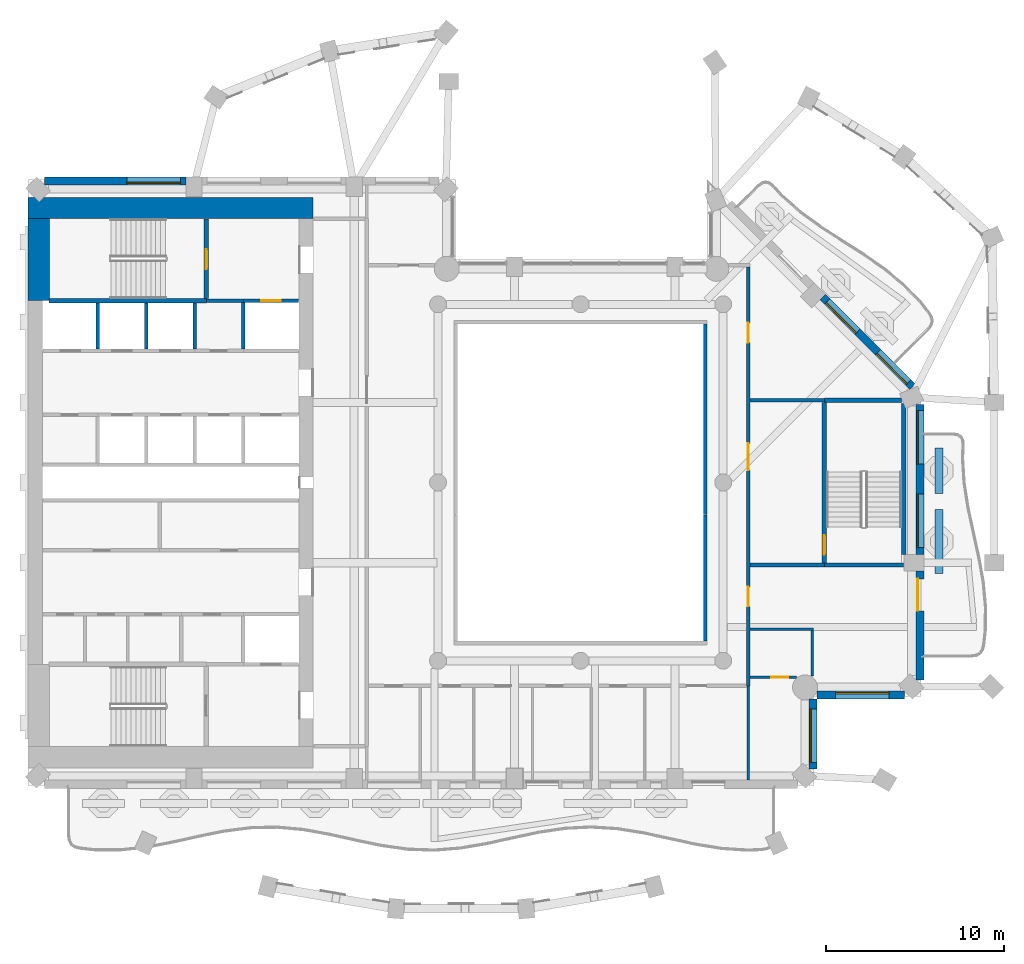
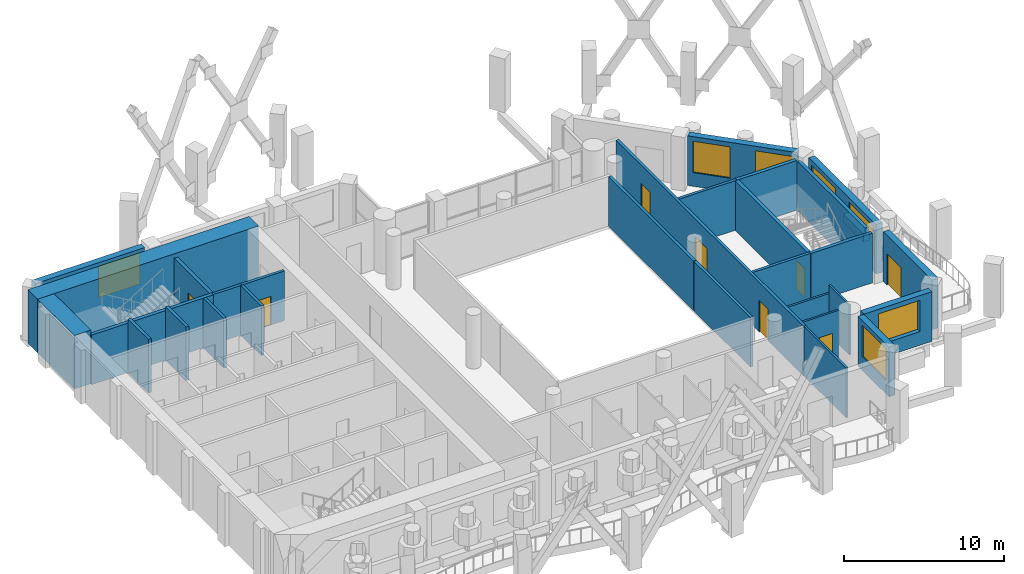
# One storey, part 6 of 16: 31 walls, 8 doors, 7 windows, 15 openings.
"""IFC4 building model written with IfcOpenShell, lengths in metres."""

from ifc_helpers import new_model, si_unit, direction, frame, frame_2d, origin, place, context, subcontext, project, spatial, rectangle, extrude, material, layer, layer_set, type_object, element, fill, save


model = new_model("IFC4")

# Units and contexts
model_context = context("Model", 3, precision=1e-05, world=origin(), true_north=direction((0.0, 1.0)))
body_context = subcontext(model_context, "Body", "Model", "MODEL_VIEW")
ifc_project = project(units=[si_unit("LENGTHUNIT", "METRE"), si_unit("AREAUNIT", "SQUARE_METRE"), si_unit("VOLUMEUNIT", "CUBIC_METRE"), si_unit("PLANEANGLEUNIT", "RADIAN"), si_unit("MASSUNIT", "GRAM", prefix="KILO")], contexts=[model_context])

# Site, building, storey
site_placement = place(None, origin())
site = spatial("IfcSite", under=ifc_project, at=site_placement, CompositionType="ELEMENT")
building_placement = place(site_placement, origin())
building = spatial("IfcBuilding", under=site, at=building_placement, Name="Cypress Arch Tower", CompositionType="ELEMENT")
storey_placement = place(building_placement, frame((0.0, 0.0, 168.699951171875)))
storey = spatial("IfcBuildingStorey", under=building, at=storey_placement, Name="L36", CompositionType="ELEMENT", Elevation=168.699951171875)

# Walls
ifc_material_1 = material(Name="Concrete C40/50, waterproofed", Category="concrete")
ifc_layer_1 = layer(ifc_material_1, 0.449951171875)
ifc_layer_set_1 = layer_set([ifc_layer_1], Name="Balcony planter wall PW450")
wall_type_1 = type_object("IfcWallType", Name="Balcony planter wall PW450", PredefinedType="SOLIDWALL", material=ifc_layer_set_1)
wall_1_placement = place(storey_placement, frame((21.10009765625, -5.10009765625, 0.0), z_axis=(0.0, 0.0, 1.0), x_axis=(0.0, 1.0, 0.0)))
element("IfcWall", 1, at=wall_1_placement, inside=storey, type_object=wall_type_1, Name="Balcony planter wall L36-B04.1", PredefinedType="SOLIDWALL", context=body_context, shape_type="SweptSolid", body=[
    extrude(rectangle(XDim=3.58349609375, YDim=0.449951171875, at=frame_2d((1.791748046875, 0.0))), origin(), (0.0, 0.0, 1.0), 0.60009765625),
])
wall_2_placement = place(storey_placement, frame((21.10009765625, -0.61669921875, 0.0), z_axis=(0.0, 0.0, 1.0), x_axis=(0.0, 1.0, 0.0)))
element("IfcWall", 2, at=wall_2_placement, inside=storey, type_object=wall_type_1, Name="Balcony planter wall L36-B04.2", PredefinedType="SOLIDWALL", context=body_context, shape_type="SweptSolid", body=[
    extrude(rectangle(XDim=2.566650390625, YDim=0.449951171875, at=frame_2d((1.283203125, 0.0))), origin(), (0.0, 0.0, 1.0), 0.60009765625),
])

# Wall, opening, window
ifc_material_2 = material(Name="Brick (red buff blend)", Category="masonry")
ifc_layer_2 = layer(ifc_material_2, 0.449951171875)
ifc_layer_set_2 = layer_set([ifc_layer_2], Name="Brick pier and spandrel wall BW450")
wall_type_2 = type_object("IfcWallType", Name="Brick pier and spandrel wall BW450", PredefinedType="SOLIDWALL", material=ifc_layer_set_2)
wall_3_placement = place(storey_placement, frame((14.02490234375, -16.063720703125, 0.0), z_axis=(0.0, 0.0, 1.0), x_axis=(0.0, 1.0, 0.0)))
wall_3 = element("IfcWall", 3, at=wall_3_placement, inside=storey, type_object=wall_type_2, Name="Brick wall L36 B02.0", PredefinedType="SOLIDWALL", context=body_context, shape_type="SweptSolid", body=[
    extrude(rectangle(XDim=3.9091796875, YDim=0.449951171875, at=frame_2d((1.95458984375, 0.0))), origin(), (0.0, 0.0, 1.0), 3.800048828125),
])
opening_1_placement = place(wall_3_placement, frame((0.363525390625, 0.0, 1.050048828125)))
opening_1 = element("IfcOpeningElement", 4, at=opening_1_placement, cuts=wall_3, Name="Opening W300O", PredefinedType="OPENING", context=body_context, shape_type="SweptSolid", body=[
    extrude(rectangle(XDim=3.0, YDim=2.39990234375, at=frame_2d((1.5, 1.199951171875))), frame((0.0, 0.23486328125, 0.0), z_axis=(0.0, -1.0, 0.0), x_axis=(1.0, 0.0, 0.0)), (0.0, 0.0, 1.0), 0.469970703125),
])
ifc_material_3 = material(Name="Anodised aluminium, bronze finish, clear low-emissivity double glazing", Category="aluminium")
window_type_1 = type_object("IfcWindowType", Name="Window Office 3000x2400", PartitioningType="SINGLE_PANEL", PredefinedType="WINDOW", material=ifc_material_3)
window_1_placement = place(opening_1_placement, origin())
window_1 = element("IfcWindow", 5, at=window_1_placement, inside=storey, type_object=window_type_1, Name="Window L36 B02.0.1", OverallHeight=2.39990234375, OverallWidth=3.0, PartitioningType="SINGLE_PANEL", PredefinedType="WINDOW", context=body_context, shape_type="SweptSolid", body=[
    extrude(rectangle(XDim=3.0, YDim=2.39990234375, at=frame_2d((1.5, 1.199951171875))), frame((0.0, 0.135009765625, 0.0), z_axis=(0.0, -1.0, 0.0), x_axis=(1.0, 0.0, 0.0)), (0.0, 0.0, 1.0), 0.06005859375),
])
fill(opening_1, window_1)

wall_4_placement = place(storey_placement, frame((14.254638671875, -11.925048828125, 0.0), z_axis=(0.0, 0.0, 1.0), x_axis=(1.0, 0.0, 0.0)))
wall_4 = element("IfcWall", 6, at=wall_4_placement, inside=storey, type_object=wall_type_2, Name="Brick wall L36 B03.0", PredefinedType="SOLIDWALL", context=body_context, shape_type="SweptSolid", body=[
    extrude(rectangle(XDim=4.908935546875, YDim=0.449951171875, at=frame_2d((2.45458984375, 0.0))), origin(), (0.0, 0.0, 1.0), 3.800048828125),
])
opening_2_placement = place(wall_4_placement, frame((1.04541015625, 0.0, 1.050048828125)))
opening_2 = element("IfcOpeningElement", 7, at=opening_2_placement, cuts=wall_4, Name="Opening W300O", PredefinedType="OPENING", context=body_context, shape_type="SweptSolid", body=[
    extrude(rectangle(XDim=3.0, YDim=2.39990234375, at=frame_2d((1.5, 1.199951171875))), frame((0.0, 0.23486328125, 0.0), z_axis=(0.0, -1.0, 0.0), x_axis=(1.0, 0.0, 0.0)), (0.0, 0.0, 1.0), 0.469970703125),
])
window_2_placement = place(opening_2_placement, origin())
window_2 = element("IfcWindow", 8, at=window_2_placement, inside=storey, type_object=window_type_1, Name="Window L36 B03.0.1", OverallHeight=2.39990234375, OverallWidth=3.0, PartitioningType="SINGLE_PANEL", PredefinedType="WINDOW", context=body_context, shape_type="SweptSolid", body=[
    extrude(rectangle(XDim=3.0, YDim=2.39990234375, at=frame_2d((1.5, 1.199951171875))), frame((0.0, 0.135009765625, 0.0), z_axis=(0.0, -1.0, 0.0), x_axis=(1.0, 0.0, 0.0)), (0.0, 0.0, 1.0), 0.06005859375),
])
fill(opening_2, window_2)

# Wall, opening, door
wall_5_placement = place(storey_placement, frame((20.02490234375, -11.063720703125, 0.0), z_axis=(0.0, 0.0, 1.0), x_axis=(0.0, 1.0, 0.0)))
wall_5 = element("IfcWall", 9, at=wall_5_placement, inside=storey, type_object=wall_type_2, Name="Brick wall L36 B04.0", PredefinedType="SOLIDWALL", context=body_context, shape_type="SweptSolid", body=[
    extrude(rectangle(XDim=6.11376953125, YDim=0.449951171875, at=frame_2d((3.056884765625, 0.0))), origin(), (0.0, 0.0, 1.0), 3.800048828125),
])
opening_3_placement = place(wall_5_placement, frame((3.863525390625, 0.0, 0.0)))
opening_3 = element("IfcOpeningElement", 10, at=opening_3_placement, cuts=wall_5, Name="Opening D-L36-B04.0.2", PredefinedType="OPENING", context=body_context, shape_type="SweptSolid", body=[
    extrude(rectangle(XDim=1.800048828125, YDim=2.39990234375, at=frame_2d((0.89990234375, 1.199951171875))), frame((0.0, 0.23486328125, 0.0), z_axis=(0.0, -1.0, 0.0), x_axis=(1.0, 0.0, 0.0)), (0.0, 0.0, 1.0), 0.469970703125),
])
ifc_material_4 = material(Name="Anodised aluminium, bronze finish, laminated low-emissivity double glazing, large-missile impact rated", Category="aluminium")
door_type_1 = type_object("IfcDoorType", Name="Balcony sliding door 1800x2400", OperationType="SLIDING_TO_LEFT", PredefinedType="DOOR", material=ifc_material_4)
door_1_placement = place(opening_3_placement, origin())
door_1 = element("IfcDoor", 11, at=door_1_placement, inside=storey, type_object=door_type_1, Name="Balcony door L36 B04.0.2", OperationType="SLIDING_TO_LEFT", OverallHeight=2.39990234375, OverallWidth=1.800048828125, PredefinedType="DOOR", context=body_context, shape_type="SweptSolid", body=[
    extrude(rectangle(XDim=1.800048828125, YDim=2.39990234375, at=frame_2d((0.89990234375, 1.199951171875))), frame((0.0, 0.1298828125, 0.0), z_axis=(0.0, -1.0, 0.0), x_axis=(1.0, 0.0, 0.0)), (0.0, 0.0, 1.0), 0.050048828125),
])
fill(opening_3, door_1)

# Wall, openings, windows
wall_6_placement = place(storey_placement, frame((20.02490234375, -4.050048828125, 0.0), z_axis=(0.0, 0.0, 1.0), x_axis=(0.0, 1.0, 0.0)))
wall_6 = element("IfcWall", 12, at=wall_6_placement, inside=storey, type_object=wall_type_2, Name="Brick wall L36 B04.1", PredefinedType="SOLIDWALL", context=body_context, shape_type="SweptSolid", body=[
    extrude(rectangle(XDim=8.438720703125, YDim=0.449951171875, at=frame_2d((4.21923828125, 0.0))), origin(), (0.0, 0.0, 1.0), 3.800048828125),
])
opening_4_placement = place(wall_6_placement, frame((0.39404296875, 0.0, 1.050048828125)))
opening_4 = element("IfcOpeningElement", 13, at=opening_4_placement, cuts=wall_6, Name="Opening W300OD", PredefinedType="OPENING", context=body_context, shape_type="SweptSolid", body=[
    extrude(rectangle(XDim=3.0, YDim=2.39990234375, at=frame_2d((1.5, 1.199951171875))), frame((0.0, 0.23486328125, 0.0), z_axis=(0.0, -1.0, 0.0), x_axis=(1.0, 0.0, 0.0)), (0.0, 0.0, 1.0), 0.469970703125),
])
opening_5_placement = place(wall_6_placement, frame((5.081787109375, 0.0, 1.050048828125)))
opening_5 = element("IfcOpeningElement", 14, at=opening_5_placement, cuts=wall_6, Name="Opening W300OD", PredefinedType="OPENING", context=body_context, shape_type="SweptSolid", body=[
    extrude(rectangle(XDim=3.0, YDim=2.39990234375, at=frame_2d((1.5, 1.199951171875))), frame((0.0, 0.23486328125, 0.0), z_axis=(0.0, -1.0, 0.0), x_axis=(1.0, 0.0, 0.0)), (0.0, 0.0, 1.0), 0.469970703125),
])
ifc_material_5 = material(Name="Anodised aluminium, bronze finish, laminated low-emissivity double glazing, large-missile impact rated", Category="aluminium")
window_type_2 = type_object("IfcWindowType", Name="Window Office 3000x2400 debris-rated", PartitioningType="SINGLE_PANEL", PredefinedType="WINDOW", material=ifc_material_5)
window_3_placement = place(opening_4_placement, origin())
window_3 = element("IfcWindow", 15, at=window_3_placement, inside=storey, type_object=window_type_2, Name="Window L36 B04.1.1", OverallHeight=2.39990234375, OverallWidth=3.0, PartitioningType="SINGLE_PANEL", PredefinedType="WINDOW", context=body_context, shape_type="SweptSolid", body=[
    extrude(rectangle(XDim=3.0, YDim=2.39990234375, at=frame_2d((1.5, 1.199951171875))), frame((0.0, 0.135009765625, 0.0), z_axis=(0.0, -1.0, 0.0), x_axis=(1.0, 0.0, 0.0)), (0.0, 0.0, 1.0), 0.06005859375),
])
fill(opening_4, window_3)
window_4_placement = place(opening_5_placement, origin())
window_4 = element("IfcWindow", 16, at=window_4_placement, inside=storey, type_object=window_type_2, Name="Window L36 B04.1.2", OverallHeight=2.39990234375, OverallWidth=3.0, PartitioningType="SINGLE_PANEL", PredefinedType="WINDOW", context=body_context, shape_type="SweptSolid", body=[
    extrude(rectangle(XDim=3.0, YDim=2.39990234375, at=frame_2d((1.5, 1.199951171875))), frame((0.0, 0.135009765625, 0.0), z_axis=(0.0, -1.0, 0.0), x_axis=(1.0, 0.0, 0.0)), (0.0, 0.0, 1.0), 0.06005859375),
])
fill(opening_5, window_4)

wall_7_placement = place(storey_placement, frame((19.61474609375, 5.379150390625, 0.0), z_axis=(0.0, 0.0, 1.0), x_axis=(-0.707089646058, 0.7071239159, 0.0)))
wall_7 = element("IfcWall", 17, at=wall_7_placement, inside=storey, type_object=wall_type_2, Name="Brick wall L36 B05.0", PredefinedType="SOLIDWALL", context=body_context, shape_type="SweptSolid", body=[
    extrude(rectangle(XDim=7.1240234375, YDim=0.449951171875, at=frame_2d((3.56201171875, 0.0))), origin(), (0.0, 0.0, 1.0), 3.800048828125),
])
opening_6_placement = place(wall_7_placement, frame((0.328125, 0.0, 1.050048828125)))
opening_6 = element("IfcOpeningElement", 18, at=opening_6_placement, cuts=wall_7, Name="Opening W240OD", PredefinedType="OPENING", context=body_context, shape_type="SweptSolid", body=[
    extrude(rectangle(XDim=2.39990234375, YDim=2.39990234375, at=frame_2d((1.199951171875, 1.199951171875))), frame((0.0, 0.23486328125, 0.0), z_axis=(0.0, -1.0, 0.0), x_axis=(1.0, 0.0, 0.0)), (0.0, 0.0, 1.0), 0.469970703125),
])
opening_7_placement = place(wall_7_placement, frame((4.358642578125, 0.0, 1.050048828125)))
opening_7 = element("IfcOpeningElement", 19, at=opening_7_placement, cuts=wall_7, Name="Opening W240OD", PredefinedType="OPENING", context=body_context, shape_type="SweptSolid", body=[
    extrude(rectangle(XDim=2.39990234375, YDim=2.39990234375, at=frame_2d((1.199951171875, 1.199951171875))), frame((0.0, 0.23486328125, 0.0), z_axis=(0.0, -1.0, 0.0), x_axis=(1.0, 0.0, 0.0)), (0.0, 0.0, 1.0), 0.469970703125),
])
ifc_material_6 = material(Name="Anodised aluminium, bronze finish, laminated low-emissivity double glazing, large-missile impact rated", Category="aluminium")
window_type_3 = type_object("IfcWindowType", Name="Window Office 2400x2400 debris-rated", PartitioningType="SINGLE_PANEL", PredefinedType="WINDOW", material=ifc_material_6)
window_5_placement = place(opening_6_placement, origin())
window_5 = element("IfcWindow", 20, at=window_5_placement, inside=storey, type_object=window_type_3, Name="Window L36 B05.0.1", OverallHeight=2.39990234375, OverallWidth=2.39990234375, PartitioningType="SINGLE_PANEL", PredefinedType="WINDOW", context=body_context, shape_type="SweptSolid", body=[
    extrude(rectangle(XDim=2.39990234375, YDim=2.39990234375, at=frame_2d((1.199951171875, 1.199951171875))), frame((0.0, 0.135009765625, 0.0), z_axis=(0.0, -1.0, 0.0), x_axis=(1.0, 0.0, 0.0)), (0.0, 0.0, 1.0), 0.06005859375),
])
fill(opening_6, window_5)
window_6_placement = place(opening_7_placement, origin())
window_6 = element("IfcWindow", 21, at=window_6_placement, inside=storey, type_object=window_type_3, Name="Window L36 B05.0.2", OverallHeight=2.39990234375, OverallWidth=2.39990234375, PartitioningType="SINGLE_PANEL", PredefinedType="WINDOW", context=body_context, shape_type="SweptSolid", body=[
    extrude(rectangle(XDim=2.39990234375, YDim=2.39990234375, at=frame_2d((1.199951171875, 1.199951171875))), frame((0.0, 0.135009765625, 0.0), z_axis=(0.0, -1.0, 0.0), x_axis=(1.0, 0.0, 0.0)), (0.0, 0.0, 1.0), 0.06005859375),
])
fill(opening_7, window_6)

# Wall, opening, window
wall_8_placement = place(storey_placement, frame((-21.14990234375, 16.925048828125, 0.0), z_axis=(0.0, 0.0, 1.0), x_axis=(-1.0, 0.0, 0.0)))
wall_8 = element("IfcWall", 22, at=wall_8_placement, inside=storey, type_object=wall_type_2, Name="Brick wall L36 B09.2", PredefinedType="SOLIDWALL", context=body_context, shape_type="SweptSolid", body=[
    extrude(rectangle(XDim=7.913818359375, YDim=0.449951171875, at=frame_2d((3.95703125, 0.0))), origin(), (0.0, 0.0, 1.0), 3.800048828125),
])
opening_8_placement = place(wall_8_placement, frame((0.300048828125, 0.0, 1.050048828125)))
opening_8 = element("IfcOpeningElement", 23, at=opening_8_placement, cuts=wall_8, Name="Opening W300O", PredefinedType="OPENING", context=body_context, shape_type="SweptSolid", body=[
    extrude(rectangle(XDim=3.0, YDim=2.39990234375, at=frame_2d((1.5, 1.199951171875))), frame((0.0, 0.23486328125, 0.0), z_axis=(0.0, -1.0, 0.0), x_axis=(1.0, 0.0, 0.0)), (0.0, 0.0, 1.0), 0.469970703125),
])
window_7_placement = place(opening_8_placement, origin())
window_7 = element("IfcWindow", 24, at=window_7_placement, inside=storey, type_object=window_type_1, Name="Window L36 B09.2.1", OverallHeight=2.39990234375, OverallWidth=3.0, PartitioningType="SINGLE_PANEL", PredefinedType="WINDOW", context=body_context, shape_type="SweptSolid", body=[
    extrude(rectangle(XDim=3.0, YDim=2.39990234375, at=frame_2d((1.5, 1.199951171875))), frame((0.0, 0.135009765625, 0.0), z_axis=(0.0, -1.0, 0.0), x_axis=(1.0, 0.0, 0.0)), (0.0, 0.0, 1.0), 0.06005859375),
])
fill(opening_8, window_7)

# Walls
ifc_material_7 = material(Name="Concrete C70/85", Category="concrete")
ifc_layer_3 = layer(ifc_material_7, 1.199951171875)
ifc_layer_set_3 = layer_set([ifc_layer_3], Name="Core wall CW1200 C70/85")
wall_type_3 = type_object("IfcWallType", Name="Core wall CW1200 C70/85", PredefinedType="SHEAR", material=ifc_layer_set_3)
wall_9_placement = place(storey_placement, frame((-30.0, 15.39990234375, 0.0), z_axis=(0.0, 0.0, 1.0), x_axis=(1.0, 0.0, 0.0)))
element("IfcWall", 25, at=wall_9_placement, inside=storey, type_object=wall_type_3, Name="Core wall", PredefinedType="SHEAR", context=body_context, shape_type="SweptSolid", body=[
    extrude(rectangle(XDim=16.0, YDim=1.199951171875, at=frame_2d((8.0, 0.0))), origin(), (0.0, 0.0, 1.0), 4.10009765625),
])
wall_10_placement = place(storey_placement, frame((-29.39990234375, 10.199951171875, 0.0), z_axis=(0.0, 0.0, 1.0), x_axis=(0.0, 1.0, 0.0)))
element("IfcWall", 26, at=wall_10_placement, inside=storey, type_object=wall_type_3, Name="Core wall", PredefinedType="SHEAR", context=body_context, shape_type="SweptSolid", body=[
    extrude(rectangle(XDim=4.60009765625, YDim=1.199951171875, at=frame_2d((2.300048828125, 0.0))), origin(), (0.0, 0.0, 1.0), 4.10009765625),
])
ifc_material_8 = material(Name="Concrete blockwork, plastered, rated", Category="masonry")
ifc_layer_4 = layer(ifc_material_8, 0.199951171875)
ifc_layer_set_4 = layer_set([ifc_layer_4], Name="Corridor wall FW200")
wall_type_4 = type_object("IfcWallType", Name="Corridor wall FW200", PredefinedType="PARTITIONING", material=ifc_layer_set_4)
wall_11_placement = place(storey_placement, frame((-20.0, 10.199951171875, 0.0), z_axis=(0.0, 0.0, 1.0), x_axis=(1.0, 0.0, 0.0)))
element("IfcWall", 27, at=wall_11_placement, inside=storey, type_object=wall_type_4, Name="Corridor wall", PredefinedType="PARTITIONING", context=body_context, shape_type="SweptSolid", body=[
    extrude(rectangle(XDim=2.080078125, YDim=0.199951171875, at=frame_2d((1.0400390625, 0.0))), origin(), (0.0, 0.0, 1.0), 3.800048828125),
])
wall_12_placement = place(storey_placement, frame((8.0, -8.89990234375, 0.0), z_axis=(0.0, 0.0, 1.0), x_axis=(0.0, 1.0, 0.0)))
element("IfcWall", 28, at=wall_12_placement, inside=storey, type_object=wall_type_4, Name="Corridor wall", PredefinedType="PARTITIONING", context=body_context, shape_type="SweptSolid", body=[
    extrude(rectangle(XDim=7.079833984375, YDim=0.199951171875, at=frame_2d((3.5400390625, 0.0))), origin(), (0.0, 0.0, 1.0), 3.800048828125),
])
wall_13_placement = place(storey_placement, frame((8.0, -1.780029296875, 0.0), z_axis=(0.0, 0.0, 1.0), x_axis=(0.0, 1.0, 0.0)))
element("IfcWall", 29, at=wall_13_placement, inside=storey, type_object=wall_type_4, Name="Corridor wall", PredefinedType="PARTITIONING", context=body_context, shape_type="SweptSolid", body=[
    extrude(rectangle(XDim=10.679931640625, YDim=0.199951171875, at=frame_2d((5.33984375, 0.0))), origin(), (0.0, 0.0, 1.0), 3.800048828125),
])

# Wall, openings, doors
wall_14_placement = place(storey_placement, frame((10.39990234375, -11.39990234375, 0.0), z_axis=(0.0, 0.0, 1.0), x_axis=(0.0, 1.0, 0.0)))
wall_14 = element("IfcWall", 30, at=wall_14_placement, inside=storey, type_object=wall_type_4, Name="Corridor wall", PredefinedType="PARTITIONING", context=body_context, shape_type="SweptSolid", body=[
    extrude(rectangle(XDim=23.5, YDim=0.199951171875, at=frame_2d((11.75, 0.0))), origin(), (0.0, 0.0, 1.0), 3.800048828125),
])
opening_9_placement = place(wall_14_placement, frame((12.10009765625, 0.0, 0.0)))
opening_9 = element("IfcOpeningElement", 31, at=opening_9_placement, cuts=wall_14, Name="Opening D07", PredefinedType="OPENING", context=body_context, shape_type="SweptSolid", body=[
    extrude(rectangle(XDim=1.5, YDim=2.39990234375, at=frame_2d((0.75, 1.199951171875))), frame((0.0, 0.10986328125, 0.0), z_axis=(0.0, -1.0, 0.0), x_axis=(1.0, 0.0, 0.0)), (0.0, 0.0, 1.0), 0.219970703125),
])
opening_10_placement = place(wall_14_placement, frame((19.25, 0.0, 0.0)))
opening_10 = element("IfcOpeningElement", 32, at=opening_10_placement, cuts=wall_14, Name="Opening D01", PredefinedType="OPENING", context=body_context, shape_type="SweptSolid", body=[
    extrude(rectangle(XDim=1.10009765625, YDim=2.39990234375, at=frame_2d((0.550048828125, 1.199951171875))), frame((0.0, 0.10986328125, 0.0), z_axis=(0.0, -1.0, 0.0), x_axis=(1.0, 0.0, 0.0)), (0.0, 0.0, 1.0), 0.219970703125),
])
opening_11_placement = place(wall_14_placement, frame((4.449951171875, 0.0, 0.0)))
opening_11 = element("IfcOpeningElement", 33, at=opening_11_placement, cuts=wall_14, Name="Opening D01", PredefinedType="OPENING", context=body_context, shape_type="SweptSolid", body=[
    extrude(rectangle(XDim=1.10009765625, YDim=2.39990234375, at=frame_2d((0.550048828125, 1.199951171875))), frame((0.0, 0.10986328125, 0.0), z_axis=(0.0, -1.0, 0.0), x_axis=(1.0, 0.0, 0.0)), (0.0, 0.0, 1.0), 0.219970703125),
])
ifc_material_9 = material(Name="Steel framed glazed door, fire resisting", Category="steel")
door_type_2 = type_object("IfcDoorType", Name="Lobby door D07 1500x2400", OperationType="DOUBLE_DOOR_SINGLE_SWING", PredefinedType="DOOR", material=ifc_material_9)
door_2_placement = place(opening_9_placement, origin())
door_2 = element("IfcDoor", 34, at=door_2_placement, inside=storey, type_object=door_type_2, Name="Lobby door", OperationType="DOUBLE_DOOR_SINGLE_SWING", OverallHeight=2.39990234375, OverallWidth=1.5, PredefinedType="DOOR", context=body_context, shape_type="SweptSolid", body=[
    extrude(rectangle(XDim=1.5, YDim=2.39990234375, at=frame_2d((0.75, 1.199951171875))), frame((0.0, 0.02490234375, 0.0), z_axis=(0.0, -1.0, 0.0), x_axis=(1.0, 0.0, 0.0)), (0.0, 0.0, 1.0), 0.050048828125),
])
fill(opening_9, door_2)
ifc_material_10 = material(Name="Timber flush door, fire resisting, self-closing", Category="wood")
door_type_3 = type_object("IfcDoorType", Name="Unit entrance door D01 1100x2400", OperationType="SINGLE_SWING_LEFT", PredefinedType="DOOR", material=ifc_material_10)
door_3_placement = place(opening_10_placement, origin())
door_3 = element("IfcDoor", 35, at=door_3_placement, inside=storey, type_object=door_type_3, Name="Unit entrance door", OperationType="SINGLE_SWING_LEFT", OverallHeight=2.39990234375, OverallWidth=1.10009765625, PredefinedType="DOOR", context=body_context, shape_type="SweptSolid", body=[
    extrude(rectangle(XDim=1.10009765625, YDim=2.39990234375, at=frame_2d((0.550048828125, 1.199951171875))), frame((0.0, 0.02490234375, 0.0), z_axis=(0.0, -1.0, 0.0), x_axis=(1.0, 0.0, 0.0)), (0.0, 0.0, 1.0), 0.050048828125),
])
fill(opening_10, door_3)
door_4_placement = place(opening_11_placement, origin())
door_4 = element("IfcDoor", 36, at=door_4_placement, inside=storey, type_object=door_type_3, Name="Unit entrance door", OperationType="SINGLE_SWING_LEFT", OverallHeight=2.39990234375, OverallWidth=1.10009765625, PredefinedType="DOOR", context=body_context, shape_type="SweptSolid", body=[
    extrude(rectangle(XDim=1.10009765625, YDim=2.39990234375, at=frame_2d((0.550048828125, 1.199951171875))), frame((0.0, 0.02490234375, 0.0), z_axis=(0.0, -1.0, 0.0), x_axis=(1.0, 0.0, 0.0)), (0.0, 0.0, 1.0), 0.050048828125),
])
fill(opening_11, door_4)

# Walls
for number, where, z_axis, x_axis, name in (
    (37, (10.5, -4.625, 0.0), (0.0, 0.0, 1.0), (1.0, 0.0, 0.0), "Corridor wall"),
    (38, (10.5, 4.625, 0.0), (0.0, 0.0, 1.0), (1.0, 0.0, 0.0), "Corridor wall"),
):
    element("IfcWall", number, at=place(storey_placement, frame(where, z_axis=z_axis, x_axis=x_axis)), inside=storey, type_object=wall_type_4, Name=name, PredefinedType="PARTITIONING", context=body_context, shape_type="SweptSolid", body=[
        extrude(rectangle(XDim=4.175048828125, YDim=0.199951171875, at=frame_2d((2.08740234375, 0.0))), origin(), (0.0, 0.0, 1.0), 3.800048828125),
    ])
ifc_material_11 = material(Name="Blockwork, plastered both sides", Category="masonry")
ifc_layer_5 = layer(ifc_material_11, 0.14990234375)
ifc_layer_set_5 = layer_set([ifc_layer_5], Name="Partition PW150")
wall_type_5 = type_object("IfcWallType", Name="Partition PW150", PredefinedType="PARTITIONING", material=ifc_layer_set_5)
wall_15_placement = place(storey_placement, frame((10.39990234375, -16.699951171875, 0.0), z_axis=(0.0, 0.0, 1.0), x_axis=(0.0, 1.0, 0.0)))
element("IfcWall", 39, at=wall_15_placement, inside=storey, type_object=wall_type_5, Name="Partition", PredefinedType="PARTITIONING", context=body_context, shape_type="SweptSolid", body=[
    extrude(rectangle(XDim=5.300048828125, YDim=0.14990234375, at=frame_2d((2.64990234375, 0.0))), origin(), (0.0, 0.0, 1.0), 3.800048828125),
])

# Wall, opening, door
wall_16_placement = place(storey_placement, frame((10.5, -10.925048828125, 0.0), z_axis=(0.0, 0.0, 1.0), x_axis=(1.0, 0.0, 0.0)))
wall_16 = element("IfcWall", 40, at=wall_16_placement, inside=storey, type_object=wall_type_5, Name="Partition", PredefinedType="PARTITIONING", context=body_context, shape_type="SweptSolid", body=[
    extrude(rectangle(XDim=2.605712890625, YDim=0.14990234375, at=frame_2d((1.302734375, 0.0))), origin(), (0.0, 0.0, 1.0), 3.800048828125),
])
opening_12_placement = place(wall_16_placement, frame((1.199951171875, 0.0, 0.0)))
opening_12 = element("IfcOpeningElement", 41, at=opening_12_placement, cuts=wall_16, Name="Opening D12", PredefinedType="OPENING", context=body_context, shape_type="SweptSolid", body=[
    extrude(rectangle(XDim=0.949951171875, YDim=2.199951171875, at=frame_2d((0.47509765625, 1.10009765625))), frame((0.0, 0.0849609375, 0.0), z_axis=(0.0, -1.0, 0.0), x_axis=(1.0, 0.0, 0.0)), (0.0, 0.0, 1.0), 0.169921875),
])
ifc_material_12 = material(Name="Timber flush door", Category="wood")
door_type_4 = type_object("IfcDoorType", Name="Room door D12 950x2200", OperationType="SINGLE_SWING_LEFT", PredefinedType="DOOR", material=ifc_material_12)
door_5_placement = place(opening_12_placement, origin())
door_5 = element("IfcDoor", 42, at=door_5_placement, inside=storey, type_object=door_type_4, Name="Room door", OperationType="SINGLE_SWING_LEFT", OverallHeight=2.199951171875, OverallWidth=0.949951171875, PredefinedType="DOOR", context=body_context, shape_type="SweptSolid", body=[
    extrude(rectangle(XDim=0.949951171875, YDim=2.199951171875, at=frame_2d((0.47509765625, 1.10009765625))), frame((0.0, 0.02490234375, 0.0), z_axis=(0.0, -1.0, 0.0), x_axis=(1.0, 0.0, 0.0)), (0.0, 0.0, 1.0), 0.050048828125),
])
fill(opening_12, door_5)

# Walls
wall_17_placement = place(storey_placement, frame((10.5, -8.22509765625, 0.0), z_axis=(0.0, 0.0, 1.0), x_axis=(1.0, 0.0, 0.0)))
element("IfcWall", 43, at=wall_17_placement, inside=storey, type_object=wall_type_5, Name="Partition", PredefinedType="PARTITIONING", context=body_context, shape_type="SweptSolid", body=[
    extrude(rectangle(XDim=3.574951171875, YDim=0.14990234375, at=frame_2d((1.78759765625, 0.0))), origin(), (0.0, 0.0, 1.0), 3.150146484375),
])
wall_18_placement = place(storey_placement, frame((14.0, -10.85009765625, 0.0), z_axis=(0.0, 0.0, 1.0), x_axis=(0.0, 1.0, 0.0)))
element("IfcWall", 44, at=wall_18_placement, inside=storey, type_object=wall_type_5, Name="Partition", PredefinedType="PARTITIONING", context=body_context, shape_type="SweptSolid", body=[
    extrude(rectangle(XDim=2.550048828125, YDim=0.14990234375, at=frame_2d((1.27490234375, 0.0))), origin(), (0.0, 0.0, 1.0), 3.800048828125),
])
ifc_material_13 = material(Name="Concrete C50/60", Category="concrete")
ifc_layer_6 = layer(ifc_material_13, 0.199951171875)
ifc_layer_set_6 = layer_set([ifc_layer_6], Name="Shaft wall SH200")
wall_type_6 = type_object("IfcWallType", Name="Shaft wall SH200", PredefinedType="SHEAR", material=ifc_layer_set_6)
for number, where, z_axis, x_axis, name in (
    (45, (-26.080078125, 7.5, 0.0), (0.0, 0.0, 1.0), (0.0, 1.0, 0.0), "Shaft wall"),
    (46, (-23.360107421875, 7.5, 0.0), (0.0, 0.0, 1.0), (0.0, 1.0, 0.0), "Shaft wall"),
):
    element("IfcWall", number, at=place(storey_placement, frame(where, z_axis=z_axis, x_axis=x_axis)), inside=storey, type_object=wall_type_6, Name=name, PredefinedType="SHEAR", context=body_context, shape_type="SweptSolid", body=[
        extrude(rectangle(XDim=2.574951171875, YDim=0.199951171875, at=frame_2d((1.28759765625, 0.0))), origin(), (0.0, 0.0, 1.0), 4.10009765625),
    ])
wall_19_placement = place(storey_placement, frame((-20.639892578125, 7.5, 0.0), z_axis=(0.0, 0.0, 1.0), x_axis=(0.0, 1.0, 0.0)))
element("IfcWall", 47, at=wall_19_placement, inside=storey, type_object=wall_type_6, Name="Shaft wall", PredefinedType="SHEAR", context=body_context, shape_type="SweptSolid", body=[
    extrude(rectangle(XDim=2.574951171875, YDim=0.199951171875, at=frame_2d((1.28759765625, 0.0))), origin(), (0.0, 0.0, 1.0), 3.800048828125),
])
wall_20_placement = place(storey_placement, frame((-17.919921875, 7.5, 0.0), z_axis=(0.0, 0.0, 1.0), x_axis=(0.0, 1.0, 0.0)))
element("IfcWall", 48, at=wall_20_placement, inside=storey, type_object=wall_type_6, Name="Shaft wall", PredefinedType="SHEAR", context=body_context, shape_type="SweptSolid", body=[
    extrude(rectangle(XDim=2.60009765625, YDim=0.199951171875, at=frame_2d((1.300048828125, 0.0))), origin(), (0.0, 0.0, 1.0), 3.800048828125),
])

# Wall, opening, door
wall_21_placement = place(storey_placement, frame((-17.919921875, 10.199951171875, 0.0), z_axis=(0.0, 0.0, 1.0), x_axis=(1.0, 0.0, 0.0)))
wall_21 = element("IfcWall", 49, at=wall_21_placement, inside=storey, type_object=wall_type_6, Name="Shaft wall", PredefinedType="SHEAR", context=body_context, shape_type="SweptSolid", body=[
    extrude(rectangle(XDim=3.08984375, YDim=0.199951171875, at=frame_2d((1.544921875, 0.0))), origin(), (0.0, 0.0, 1.0), 3.800048828125),
])
opening_13_placement = place(wall_21_placement, frame((1.0, 0.0, 0.0)))
opening_13 = element("IfcOpeningElement", 50, at=opening_13_placement, cuts=wall_21, Name="Opening LD-FL2", PredefinedType="OPENING", context=body_context, shape_type="SweptSolid", body=[
    extrude(rectangle(XDim=1.10009765625, YDim=2.199951171875, at=frame_2d((0.550048828125, 1.10009765625))), frame((0.0, 0.10986328125, 0.0), z_axis=(0.0, -1.0, 0.0), x_axis=(1.0, 0.0, 0.0)), (0.0, 0.0, 1.0), 0.219970703125),
])
ifc_material_14 = material(Name="Stainless steel centre-opening landing door, rated", Category="steel")
door_type_5 = type_object("IfcDoorType", Name="Lift landing door LD 1100x2200", OperationType="DOUBLE_DOOR_SLIDING", PredefinedType="DOOR", material=ifc_material_14)
door_6_placement = place(opening_13_placement, origin())
door_6 = element("IfcDoor", 51, at=door_6_placement, inside=storey, type_object=door_type_5, Name="Lift landing doors FL2", OperationType="DOUBLE_DOOR_SLIDING", OverallHeight=2.199951171875, OverallWidth=1.10009765625, PredefinedType="DOOR", context=body_context, shape_type="SweptSolid", body=[
    extrude(rectangle(XDim=1.10009765625, YDim=2.199951171875, at=frame_2d((0.550048828125, 1.10009765625))), frame((0.0, 0.02490234375, 0.0), z_axis=(0.0, -1.0, 0.0), x_axis=(1.0, 0.0, 0.0)), (0.0, 0.0, 1.0), 0.050048828125),
])
fill(opening_13, door_6)

# Wall
ifc_material_15 = material(Name="Concrete C50/60", Category="concrete")
ifc_layer_7 = layer(ifc_material_15, 0.25)
ifc_layer_set_7 = layer_set([ifc_layer_7], Name="Stair enclosure wall SW250")
wall_type_7 = type_object("IfcWallType", Name="Stair enclosure wall SW250", PredefinedType="SHEAR", material=ifc_layer_set_7)
wall_22_placement = place(storey_placement, frame((-28.81005859375, 10.199951171875, 0.0), z_axis=(0.0, 0.0, 1.0), x_axis=(1.0, 0.0, 0.0)))
element("IfcWall", 52, at=wall_22_placement, inside=storey, type_object=wall_type_7, Name="Stair enclosure wall", PredefinedType="SHEAR", context=body_context, shape_type="SweptSolid", body=[
    extrude(rectangle(XDim=8.81005859375, YDim=0.25, at=frame_2d((4.405029296875, 0.0))), origin(), (0.0, 0.0, 1.0), 3.800048828125),
])

# Wall, opening, door
wall_23_placement = place(storey_placement, frame((-20.0, 10.324951171875, 0.0), z_axis=(0.0, 0.0, 1.0), x_axis=(0.0, 1.0, 0.0)))
wall_23 = element("IfcWall", 53, at=wall_23_placement, inside=storey, type_object=wall_type_7, Name="Stair enclosure wall", PredefinedType="SHEAR", context=body_context, shape_type="SweptSolid", body=[
    extrude(rectangle(XDim=4.445068359375, YDim=0.25, at=frame_2d((2.22265625, 0.0))), origin(), (0.0, 0.0, 1.0), 3.800048828125),
])
opening_14_placement = place(wall_23_placement, frame((1.64990234375, 0.0, 0.0)))
opening_14 = element("IfcOpeningElement", 54, at=opening_14_placement, cuts=wall_23, Name="Opening D06", PredefinedType="OPENING", context=body_context, shape_type="SweptSolid", body=[
    extrude(rectangle(XDim=1.10009765625, YDim=2.199951171875, at=frame_2d((0.550048828125, 1.10009765625))), frame((0.0, 0.135009765625, 0.0), z_axis=(0.0, -1.0, 0.0), x_axis=(1.0, 0.0, 0.0)), (0.0, 0.0, 1.0), 0.27001953125),
])
ifc_material_16 = material(Name="Steel door, fire resisting, panic bar", Category="steel")
door_type_6 = type_object("IfcDoorType", Name="Stair door D06 1100x2200", OperationType="SINGLE_SWING_LEFT", PredefinedType="DOOR", material=ifc_material_16)
door_7_placement = place(opening_14_placement, origin())
door_7 = element("IfcDoor", 55, at=door_7_placement, inside=storey, type_object=door_type_6, Name="Stair door", OperationType="SINGLE_SWING_LEFT", OverallHeight=2.199951171875, OverallWidth=1.10009765625, PredefinedType="DOOR", context=body_context, shape_type="SweptSolid", body=[
    extrude(rectangle(XDim=1.10009765625, YDim=2.199951171875, at=frame_2d((0.550048828125, 1.10009765625))), frame((0.0, 0.02490234375, 0.0), z_axis=(0.0, -1.0, 0.0), x_axis=(1.0, 0.0, 0.0)), (0.0, 0.0, 1.0), 0.050048828125),
])
fill(opening_14, door_7)

wall_24_placement = place(storey_placement, frame((14.675048828125, -4.5, 0.0), z_axis=(0.0, 0.0, 1.0), x_axis=(0.0, 1.0, 0.0)))
wall_24 = element("IfcWall", 56, at=wall_24_placement, inside=storey, type_object=wall_type_7, Name="Stair enclosure wall", PredefinedType="SHEAR", context=body_context, shape_type="SweptSolid", body=[
    extrude(rectangle(XDim=9.0, YDim=0.25, at=frame_2d((4.5, 0.0))), origin(), (0.0, 0.0, 1.0), 3.800048828125),
])
opening_15_placement = place(wall_24_placement, frame((0.449951171875, 0.0, 0.0)))
opening_15 = element("IfcOpeningElement", 57, at=opening_15_placement, cuts=wall_24, Name="Opening D06", PredefinedType="OPENING", context=body_context, shape_type="SweptSolid", body=[
    extrude(rectangle(XDim=1.10009765625, YDim=2.199951171875, at=frame_2d((0.550048828125, 1.10009765625))), frame((0.0, 0.135009765625, 0.0), z_axis=(0.0, -1.0, 0.0), x_axis=(1.0, 0.0, 0.0)), (0.0, 0.0, 1.0), 0.27001953125),
])
door_8_placement = place(opening_15_placement, origin())
door_8 = element("IfcDoor", 58, at=door_8_placement, inside=storey, type_object=door_type_6, Name="Stair door", OperationType="SINGLE_SWING_RIGHT", OverallHeight=2.199951171875, OverallWidth=1.10009765625, PredefinedType="DOOR", context=body_context, shape_type="SweptSolid", body=[
    extrude(rectangle(XDim=1.10009765625, YDim=2.199951171875, at=frame_2d((0.550048828125, 1.10009765625))), frame((0.0, 0.02490234375, 0.0), z_axis=(0.0, -1.0, 0.0), x_axis=(1.0, 0.0, 0.0)), (0.0, 0.0, 1.0), 0.050048828125),
])
fill(opening_15, door_8)

# Walls
wall_25_placement = place(storey_placement, frame((14.675048828125, -4.625, 0.0), z_axis=(0.0, 0.0, 1.0), x_axis=(1.0, 0.0, 0.0)))
element("IfcWall", 59, at=wall_25_placement, inside=storey, type_object=wall_type_7, Name="Stair enclosure wall", PredefinedType="SHEAR", context=body_context, shape_type="SweptSolid", body=[
    extrude(rectangle(XDim=4.449951171875, YDim=0.25, at=frame_2d((2.22509765625, 0.0))), origin(), (0.0, 0.0, 1.0), 3.800048828125),
])
wall_26_placement = place(storey_placement, frame((14.675048828125, 4.625, 0.0), z_axis=(0.0, 0.0, 1.0), x_axis=(1.0, 0.0, 0.0)))
element("IfcWall", 60, at=wall_26_placement, inside=storey, type_object=wall_type_7, Name="Stair enclosure wall", PredefinedType="SHEAR", context=body_context, shape_type="SweptSolid", body=[
    extrude(rectangle(XDim=4.32373046875, YDim=0.25, at=frame_2d((2.161865234375, 0.0))), origin(), (0.0, 0.0, 1.0), 3.800048828125),
])
wall_27_placement = place(storey_placement, frame((19.125, -4.050048828125, 0.0), z_axis=(0.0, 0.0, 1.0), x_axis=(0.0, 1.0, 0.0)))
element("IfcWall", 61, at=wall_27_placement, inside=storey, type_object=wall_type_7, Name="Stair enclosure wall", PredefinedType="SHEAR", context=body_context, shape_type="SweptSolid", body=[
    extrude(rectangle(XDim=8.4765625, YDim=0.25, at=frame_2d((4.23828125, 0.0))), origin(), (0.0, 0.0, 1.0), 3.800048828125),
])

save(model, "model.ifc")
